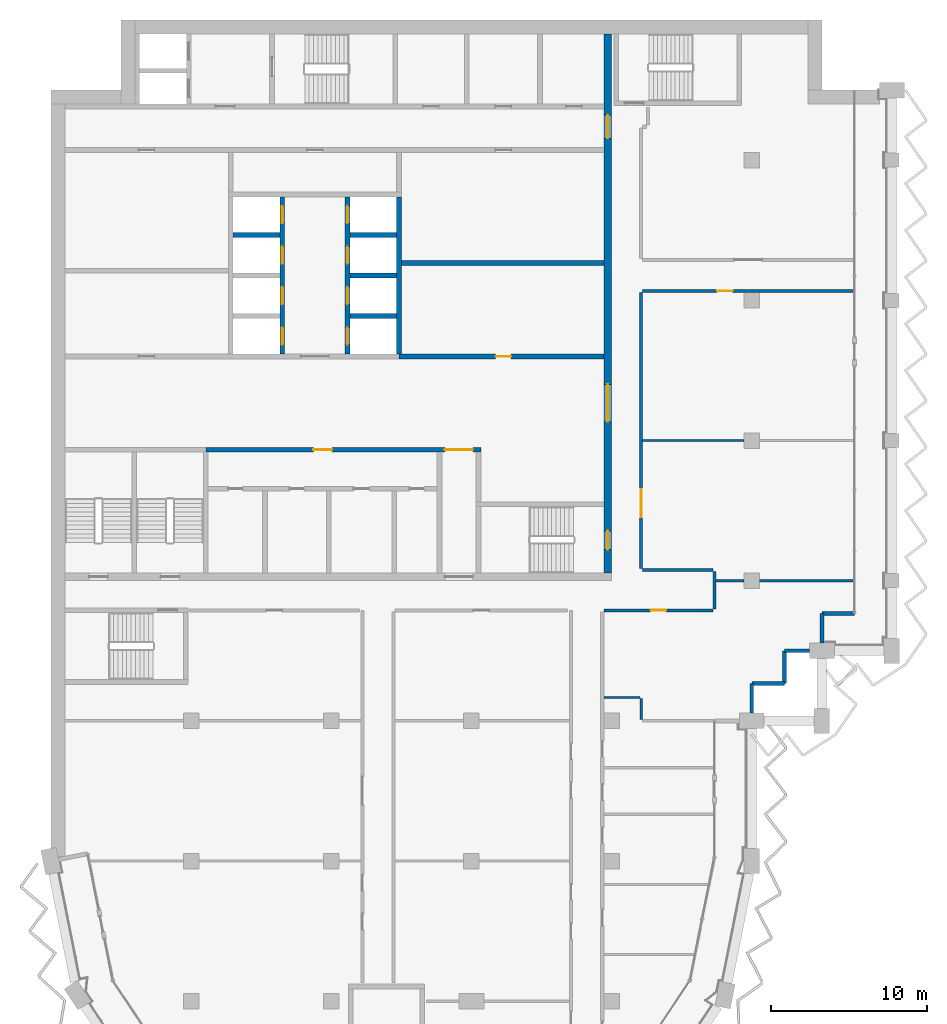
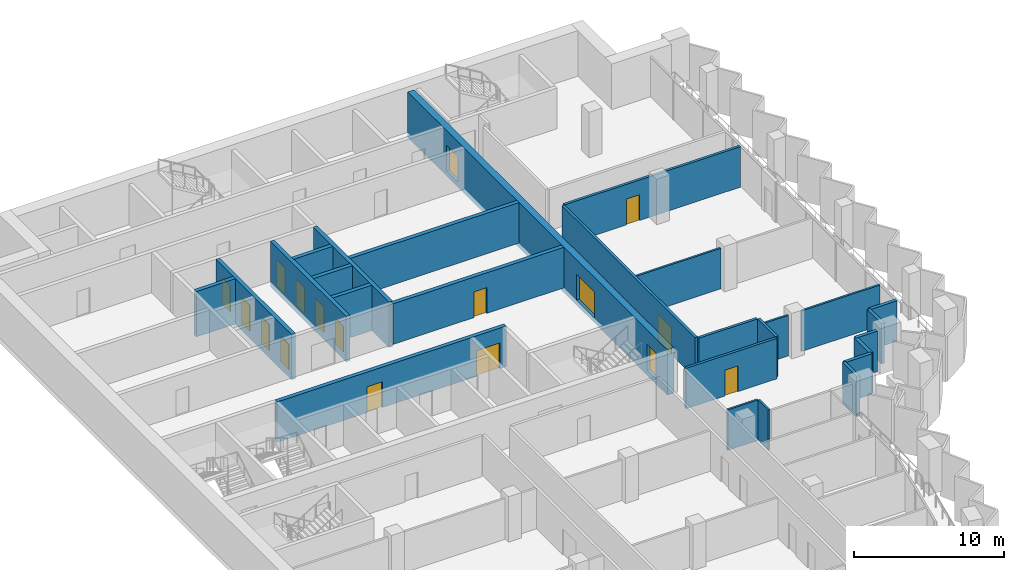
# One storey, part 9 of 16: 27 walls, 17 doors, 17 openings.
"""IFC4 building model written with IfcOpenShell, lengths in metres."""

from ifc_helpers import new_model, si_unit, direction, frame, frame_2d, origin, place, context, subcontext, project, spatial, rectangle, extrude, material, layer, layer_set, type_object, element, fill, save


model = new_model("IFC4")

# Units and contexts
model_context = context("Model", 3, precision=1e-05, world=origin(), true_north=direction((0.0, 1.0)))
body_context = subcontext(model_context, "Body", "Model", "MODEL_VIEW")
ifc_project = project(units=[si_unit("LENGTHUNIT", "METRE"), si_unit("AREAUNIT", "SQUARE_METRE"), si_unit("VOLUMEUNIT", "CUBIC_METRE"), si_unit("PLANEANGLEUNIT", "RADIAN"), si_unit("MASSUNIT", "GRAM", prefix="KILO")], contexts=[model_context])

# Site, building, storey
site_placement = place(None, origin())
site = spatial("IfcSite", under=ifc_project, at=site_placement, CompositionType="ELEMENT")
building_placement = place(site_placement, origin())
building = spatial("IfcBuilding", under=site, at=building_placement, Name="Hunhe Ridgeline Campus", CompositionType="ELEMENT")
storey_placement = place(building_placement, frame((0.0, 0.0, 261.39990234375)))
storey = spatial("IfcBuildingStorey", under=building, at=storey_placement, Name="L67", CompositionType="ELEMENT", Elevation=261.39990234375)

# Wall, openings, doors
ifc_material_1 = material(Name="Masonry concrete blockwork", Category="masonry")
ifc_layer_1 = layer(ifc_material_1, 0.300048828125)
ifc_layer_set_1 = layer_set([ifc_layer_1], Name="Core room partition 300 concrete block")
wall_type_1 = type_object("IfcWallType", Name="Core room partition 300 concrete block", PredefinedType="PARTITIONING", material=ifc_layer_set_1)
wall_1_placement = place(storey_placement, frame((9.949951171875, 71.39990234375, 0.0), z_axis=(0.0, 0.0, 1.0), x_axis=(1.0, 0.0, 0.0)))
wall_1 = element("IfcWall", 1, at=wall_1_placement, inside=storey, type_object=wall_type_1, Name="L67 core partition 9", PredefinedType="PARTITIONING", context=body_context, shape_type="SweptSolid", body=[
    extrude(rectangle(XDim=17.650146484375, YDim=0.300048828125, at=frame_2d((8.8251953125, 0.0))), origin(), (0.0, 0.0, 1.0), 3.300048828125),
])
opening_1_placement = place(wall_1_placement, frame((15.35009765625, 0.0, 0.0)))
opening_1 = element("IfcOpeningElement", 2, at=opening_1_placement, cuts=wall_1, Name="Opening CD7", PredefinedType="OPENING", context=body_context, shape_type="SweptSolid", body=[
    extrude(rectangle(XDim=1.800048828125, YDim=2.10009765625, at=frame_2d((0.89990234375, 1.050048828125))), frame((0.0, 0.14990234375, 0.0), z_axis=(0.0, -1.0, 0.0), x_axis=(1.0, 0.0, 0.0)), (0.0, 0.0, 1.0), 0.300048828125),
])
opening_2_placement = place(wall_1_placement, frame((6.89990234375, 0.0, 0.0)))
opening_2 = element("IfcOpeningElement", 3, at=opening_2_placement, cuts=wall_1, Name="Opening CD37", PredefinedType="OPENING", context=body_context, shape_type="SweptSolid", body=[
    extrude(rectangle(XDim=1.199951171875, YDim=2.10009765625, at=frame_2d((0.60009765625, 1.050048828125))), frame((0.0, 0.14990234375, 0.0), z_axis=(0.0, -1.0, 0.0), x_axis=(1.0, 0.0, 0.0)), (0.0, 0.0, 1.0), 0.300048828125),
])
ifc_material_2 = material(Name="Anodised aluminium and glass", Category="aluminium")
door_type_1 = type_object("IfcDoorType", Name="Glazed double door 1800x2100", OperationType="DOUBLE_DOOR_SINGLE_SWING", PredefinedType="DOOR", material=ifc_material_2)
door_1_placement = place(opening_1_placement, origin())
door_1 = element("IfcDoor", 4, at=door_1_placement, inside=storey, type_object=door_type_1, Name="L67 door VEST-HALL", OperationType="DOUBLE_DOOR_SINGLE_SWING", OverallHeight=2.10009765625, OverallWidth=1.800048828125, PredefinedType="DOOR", context=body_context, shape_type="SweptSolid", body=[
    extrude(rectangle(XDim=1.800048828125, YDim=2.10009765625, at=frame_2d((0.89990234375, 1.050048828125))), frame((0.0, 0.02490234375, 0.0), z_axis=(0.0, -1.0, 0.0), x_axis=(1.0, 0.0, 0.0)), (0.0, 0.0, 1.0), 0.050048828125),
])
fill(opening_1, door_1)
ifc_material_3 = material(Name="Solid core timber door leaf", Category="wood")
door_type_2 = type_object("IfcDoorType", Name="Timber door 1200x2100", OperationType="SINGLE_SWING_LEFT", PredefinedType="DOOR", material=ifc_material_3)
door_2_placement = place(opening_2_placement, origin())
door_2 = element("IfcDoor", 5, at=door_2_placement, inside=storey, type_object=door_type_2, Name="L67 door WCL1-HALL", OperationType="SINGLE_SWING_RIGHT", OverallHeight=2.10009765625, OverallWidth=1.199951171875, PredefinedType="DOOR", context=body_context, shape_type="SweptSolid", body=[
    extrude(rectangle(XDim=1.199951171875, YDim=2.10009765625, at=frame_2d((0.60009765625, 1.050048828125))), frame((0.0, 0.02490234375, 0.0), z_axis=(0.0, -1.0, 0.0), x_axis=(1.0, 0.0, 0.0)), (0.0, 0.0, 1.0), 0.050048828125),
])
fill(opening_2, door_2)

# Wall, opening, door
wall_2_placement = place(storey_placement, frame((22.35009765625, 77.39990234375, 0.0), z_axis=(0.0, 0.0, 1.0), x_axis=(1.0, 0.0, 0.0)))
wall_2 = element("IfcWall", 6, at=wall_2_placement, inside=storey, type_object=wall_type_1, Name="L67 core partition 11", PredefinedType="PARTITIONING", context=body_context, shape_type="SweptSolid", body=[
    extrude(rectangle(XDim=13.14990234375, YDim=0.300048828125, at=frame_2d((6.574951171875, 0.0))), origin(), (0.0, 0.0, 1.0), 3.300048828125),
])
opening_3_placement = place(wall_2_placement, frame((6.199951171875, 0.0, 0.0)))
opening_3 = element("IfcOpeningElement", 7, at=opening_3_placement, cuts=wall_2, Name="Opening CD32", PredefinedType="OPENING", context=body_context, shape_type="SweptSolid", body=[
    extrude(rectangle(XDim=1.0, YDim=2.10009765625, at=frame_2d((0.5, 1.050048828125))), frame((0.0, 0.14990234375, 0.0), z_axis=(0.0, -1.0, 0.0), x_axis=(1.0, 0.0, 0.0)), (0.0, 0.0, 1.0), 0.300048828125),
])
door_type_3 = type_object("IfcDoorType", Name="Timber door 1000x2100", OperationType="SINGLE_SWING_LEFT", PredefinedType="DOOR", material=ifc_material_3)
door_3_placement = place(opening_3_placement, origin())
door_3 = element("IfcDoor", 8, at=door_3_placement, inside=storey, type_object=door_type_3, Name="L67 door ES0", OperationType="SINGLE_SWING_LEFT", OverallHeight=2.10009765625, OverallWidth=1.0, PredefinedType="DOOR", context=body_context, shape_type="SweptSolid", body=[
    extrude(rectangle(XDim=1.0, YDim=2.10009765625, at=frame_2d((0.5, 1.050048828125))), frame((0.0, 0.02490234375, 0.0), z_axis=(0.0, -1.0, 0.0), x_axis=(1.0, 0.0, 0.0)), (0.0, 0.0, 1.0), 0.050048828125),
])
fill(opening_3, door_3)

# Wall
wall_3_placement = place(storey_placement, frame((22.5, 83.39990234375, 0.0), z_axis=(0.0, 0.0, 1.0), x_axis=(1.0, 0.0, 0.0)))
element("IfcWall", 9, at=wall_3_placement, inside=storey, type_object=wall_type_1, Name="L67 core partition 17", PredefinedType="PARTITIONING", context=body_context, shape_type="SweptSolid", body=[
    extrude(rectangle(XDim=13.0, YDim=0.300048828125, at=frame_2d((6.5, 0.0))), origin(), (0.0, 0.0, 1.0), 3.300048828125),
])

# Wall, openings, doors
ifc_material_4 = material(Name="Concrete C50", Category="concrete")
ifc_layer_2 = layer(ifc_material_4, 0.5)
ifc_layer_set_2 = layer_set([ifc_layer_2], Name="Core wall 500 reinforced concrete C50")
wall_type_2 = type_object("IfcWallType", Name="Core wall 500 reinforced concrete C50", PredefinedType="SOLIDWALL", material=ifc_layer_set_2)
wall_4_placement = place(storey_placement, frame((35.75, 63.5, -0.39990234375), z_axis=(0.0, 0.0, 1.0), x_axis=(0.0, 1.0, 0.0)))
wall_4 = element("IfcWall", 10, at=wall_4_placement, inside=storey, type_object=wall_type_2, Name="L67 core wall 48", PredefinedType="SOLIDWALL", context=body_context, shape_type="SweptSolid", body=[
    extrude(rectangle(XDim=34.60009765625, YDim=0.5, at=frame_2d((17.300048828125, 0.0))), origin(), (0.0, 0.0, 1.0), 3.699951171875),
])
opening_4_placement = place(wall_4_placement, frame((9.699951171875, 0.0, 0.39990234375)))
opening_4 = element("IfcOpeningElement", 11, at=opening_4_placement, cuts=wall_4, Name="Opening CD4", PredefinedType="OPENING", context=body_context, shape_type="SweptSolid", body=[
    extrude(rectangle(XDim=2.39990234375, YDim=2.10009765625, at=frame_2d((1.199951171875, 1.050048828125))), frame((0.0, 0.25, 0.0), z_axis=(0.0, -1.0, 0.0), x_axis=(1.0, 0.0, 0.0)), (0.0, 0.0, 1.0), 0.5),
])
opening_5_placement = place(wall_4_placement, frame((27.89990234375, 0.0, 0.39990234375)))
opening_5 = element("IfcOpeningElement", 12, at=opening_5_placement, cuts=wall_4, Name="Opening CD5", PredefinedType="OPENING", context=body_context, shape_type="SweptSolid", body=[
    extrude(rectangle(XDim=1.5, YDim=2.10009765625, at=frame_2d((0.75, 1.050048828125))), frame((0.0, 0.25, 0.0), z_axis=(0.0, -1.0, 0.0), x_axis=(1.0, 0.0, 0.0)), (0.0, 0.0, 1.0), 0.5),
])
opening_6_placement = place(wall_4_placement, frame((1.5, 0.0, 0.39990234375)))
opening_6 = element("IfcOpeningElement", 13, at=opening_6_placement, cuts=wall_4, Name="Opening CD15", PredefinedType="OPENING", context=body_context, shape_type="SweptSolid", body=[
    extrude(rectangle(XDim=1.199951171875, YDim=2.10009765625, at=frame_2d((0.60009765625, 1.050048828125))), frame((0.0, 0.25, 0.0), z_axis=(0.0, -1.0, 0.0), x_axis=(1.0, 0.0, 0.0)), (0.0, 0.0, 1.0), 0.5),
])
door_type_4 = type_object("IfcDoorType", Name="Glazed double door 2400x2100", OperationType="DOUBLE_DOOR_SINGLE_SWING", PredefinedType="DOOR", material=ifc_material_2)
door_4_placement = place(opening_4_placement, frame((2.39990234375, 0.0, 0.0), z_axis=(0.0, 0.0, 1.0), x_axis=(-1.0, 0.0, 0.0)))
door_4 = element("IfcDoor", 14, at=door_4_placement, inside=storey, type_object=door_type_4, Name="L67 door HALL-FLOOR", OperationType="DOUBLE_DOOR_SINGLE_SWING", OverallHeight=2.10009765625, OverallWidth=2.39990234375, PredefinedType="DOOR", context=body_context, shape_type="SweptSolid", body=[
    extrude(rectangle(XDim=2.39990234375, YDim=2.10009765625, at=frame_2d((1.199951171875, 1.050048828125))), frame((0.0, 0.02490234375, 0.0), z_axis=(0.0, -1.0, 0.0), x_axis=(1.0, 0.0, 0.0)), (0.0, 0.0, 1.0), 0.050048828125),
])
fill(opening_4, door_4)
ifc_material_5 = material(Name="Hollow metal fire door leaf")
door_type_5 = type_object("IfcDoorType", Name="Stair door 1200x2100 FD60", OperationType="SINGLE_SWING_LEFT", PredefinedType="DOOR", material=ifc_material_5)
door_5_placement = place(opening_6_placement, frame((1.199951171875, 0.0, 0.0), z_axis=(0.0, 0.0, 1.0), x_axis=(-1.0, 0.0, 0.0)))
door_5 = element("IfcDoor", 15, at=door_5_placement, inside=storey, type_object=door_type_5, Name="L67 door S2-FLOOR", OperationType="SINGLE_SWING_LEFT", OverallHeight=2.10009765625, OverallWidth=1.199951171875, PredefinedType="DOOR", context=body_context, shape_type="SweptSolid", body=[
    extrude(rectangle(XDim=1.199951171875, YDim=2.10009765625, at=frame_2d((0.60009765625, 1.050048828125))), frame((0.0, 0.02490234375, 0.0), z_axis=(0.0, -1.0, 0.0), x_axis=(1.0, 0.0, 0.0)), (0.0, 0.0, 1.0), 0.050048828125),
])
fill(opening_6, door_5)
door_type_6 = type_object("IfcDoorType", Name="Timber door 1500x2100", OperationType="SINGLE_SWING_LEFT", PredefinedType="DOOR", material=ifc_material_3)
door_6_placement = place(opening_5_placement, frame((1.5, 0.0, 0.0), z_axis=(0.0, 0.0, 1.0), x_axis=(-1.0, 0.0, 0.0)))
door_6 = element("IfcDoor", 16, at=door_6_placement, inside=storey, type_object=door_type_6, Name="L67 door C1-FLOOR", OperationType="SINGLE_SWING_LEFT", OverallHeight=2.10009765625, OverallWidth=1.5, PredefinedType="DOOR", context=body_context, shape_type="SweptSolid", body=[
    extrude(rectangle(XDim=1.5, YDim=2.10009765625, at=frame_2d((0.75, 1.050048828125))), frame((0.0, 0.02490234375, 0.0), z_axis=(0.0, -1.0, 0.0), x_axis=(1.0, 0.0, 0.0)), (0.0, 0.0, 1.0), 0.050048828125),
])
fill(opening_5, door_6)

# Walls
ifc_material_6 = material(Name="Concrete C30", Category="concrete")
ifc_layer_3 = layer(ifc_material_6, 0.25)
ifc_layer_set_3 = layer_set([ifc_layer_3], Name="Corner return wall 250 Concrete C30")
wall_type_3 = type_object("IfcWallType", Name="Corner return wall 250 Concrete C30", PredefinedType="SOLIDWALL", material=ifc_layer_set_3)
wall_5_placement = place(storey_placement, frame((44.9990234375, 54.5, 0.0), z_axis=(0.0, 0.0, 1.0), x_axis=(0.000128452151, 0.99999999175, 0.0)))
element("IfcWall", 17, at=wall_5_placement, inside=storey, type_object=wall_type_3, Name="Corner return wall 3", PredefinedType="SOLIDWALL", context=body_context, shape_type="SweptSolid", body=[
    extrude(rectangle(XDim=1.900634765625, YDim=0.25, at=frame_2d((0.9501953125, 0.0))), origin(), (0.0, 0.0, 1.0), 3.300048828125),
])
wall_6_placement = place(storey_placement, frame((44.999267578125, 56.400634765625, 0.0), z_axis=(0.0, 0.0, 1.0), x_axis=(0.999999993241, 0.00011626555, 0.0)))
element("IfcWall", 18, at=wall_6_placement, inside=storey, type_object=wall_type_3, Name="Corner return wall 4", PredefinedType="SOLIDWALL", context=body_context, shape_type="SweptSolid", body=[
    extrude(rectangle(XDim=2.099853515625, YDim=0.25, at=frame_2d((1.0498046875, 0.0))), origin(), (0.0, 0.0, 1.0), 3.300048828125),
])
wall_7_placement = place(storey_placement, frame((47.09912109375, 56.40087890625, 0.0), z_axis=(0.0, 0.0, 1.0), x_axis=(0.000232504063, 0.999999972971, 0.0)))
element("IfcWall", 19, at=wall_7_placement, inside=storey, type_object=wall_type_3, Name="Corner return wall 5", PredefinedType="SOLIDWALL", context=body_context, shape_type="SweptSolid", body=[
    extrude(rectangle(XDim=2.10009765625, YDim=0.25, at=frame_2d((1.050048828125, 0.0))), origin(), (0.0, 0.0, 1.0), 3.300048828125),
])
wall_8_placement = place(storey_placement, frame((47.099609375, 58.5009765625, 0.0), z_axis=(0.0, 0.0, 1.0), x_axis=(1.0, 0.0, 0.0)))
element("IfcWall", 20, at=wall_8_placement, inside=storey, type_object=wall_type_3, Name="Corner return wall 6", PredefinedType="SOLIDWALL", context=body_context, shape_type="SweptSolid", body=[
    extrude(rectangle(XDim=1.600341796875, YDim=0.25, at=frame_2d((0.80029296875, 0.0))), origin(), (0.0, 0.0, 1.0), 3.300048828125),
])
wall_9_placement = place(storey_placement, frame((49.4990234375, 59.0, 0.0), z_axis=(0.0, 0.0, 1.0), x_axis=(0.000256871299, 0.999999967009, 0.0)))
element("IfcWall", 21, at=wall_9_placement, inside=storey, type_object=wall_type_3, Name="Corner return wall 7", PredefinedType="SOLIDWALL", context=body_context, shape_type="SweptSolid", body=[
    extrude(rectangle(XDim=1.90087890625, YDim=0.25, at=frame_2d((0.950439453125, 0.0))), origin(), (0.0, 0.0, 1.0), 3.300048828125),
])
wall_10_placement = place(storey_placement, frame((49.49951171875, 60.90087890625, 0.0), z_axis=(0.0, 0.0, 1.0), x_axis=(1.0, 0.0, 0.0)))
element("IfcWall", 22, at=wall_10_placement, inside=storey, type_object=wall_type_3, Name="Corner return wall 8", PredefinedType="SOLIDWALL", context=body_context, shape_type="SweptSolid", body=[
    extrude(rectangle(XDim=2.099609375, YDim=0.25, at=frame_2d((1.0498046875, 0.0))), origin(), (0.0, 0.0, 1.0), 3.300048828125),
])

# Wall, opening, door
ifc_material_7 = material(Name="Gypsum board partition")
ifc_layer_4 = layer(ifc_material_7, 0.199951171875)
ifc_layer_set_4 = layer_set([ifc_layer_4], Name="Corridor partition 200 gypsum board on steel studs")
wall_type_4 = type_object("IfcWallType", Name="Corridor partition 200 gypsum board on steel studs", PredefinedType="PARTITIONING", material=ifc_layer_set_4)
wall_11_placement = place(storey_placement, frame((42.5, 61.10009765625, 0.0), z_axis=(0.0, 0.0, 1.0), x_axis=(-1.0, 0.0, 0.0)))
wall_11 = element("IfcWall", 23, at=wall_11_placement, inside=storey, type_object=wall_type_4, Name="F-L67-wall-023", PredefinedType="PARTITIONING", context=body_context, shape_type="SweptSolid", body=[
    extrude(rectangle(XDim=7.0, YDim=0.199951171875, at=frame_2d((3.5, 0.0))), origin(), (0.0, 0.0, 1.0), 3.300048828125),
])
opening_7_placement = place(wall_11_placement, frame((3.0, 0.0, 0.0)))
opening_7 = element("IfcOpeningElement", 24, at=opening_7_placement, cuts=wall_11, Name="Opening RD1-017", PredefinedType="OPENING", context=body_context, shape_type="SweptSolid", body=[
    extrude(rectangle(XDim=1.0, YDim=2.10009765625, at=frame_2d((0.5, 1.050048828125))), frame((0.0, 0.10009765625, 0.0), z_axis=(0.0, -1.0, 0.0), x_axis=(1.0, 0.0, 0.0)), (0.0, 0.0, 1.0), 0.199951171875),
])
ifc_material_8 = material(Name="Timber door leaf", Category="wood")
door_type_7 = type_object("IfcDoorType", Name="Single fire door 1000x2100 timber FD60", OperationType="NOTDEFINED", PredefinedType="DOOR", material=ifc_material_8)
door_7_placement = place(opening_7_placement, origin())
door_7 = element("IfcDoor", 25, at=door_7_placement, inside=storey, type_object=door_type_7, Name="F-L67-door-017", OperationType="SINGLE_SWING_LEFT", OverallHeight=2.10009765625, OverallWidth=1.0, PredefinedType="DOOR", context=body_context, shape_type="SweptSolid", body=[
    extrude(rectangle(XDim=1.0, YDim=2.10009765625, at=frame_2d((0.5, 1.050048828125))), frame((0.0, 0.02490234375, 0.0), z_axis=(0.0, -1.0, 0.0), x_axis=(1.0, 0.0, 0.0)), (0.0, 0.0, 1.0), 0.050048828125),
])
fill(opening_7, door_7)

# Wall
wall_12_placement = place(storey_placement, frame((38.0, 63.699951171875, 0.0), z_axis=(0.0, 0.0, 1.0), x_axis=(1.0, 0.0, 0.0)))
element("IfcWall", 26, at=wall_12_placement, inside=storey, type_object=wall_type_4, Name="F-L67-wall-026", PredefinedType="PARTITIONING", context=body_context, shape_type="SweptSolid", body=[
    extrude(rectangle(XDim=4.5, YDim=0.199951171875, at=frame_2d((2.25, 0.0))), origin(), (0.0, 0.0, 1.0), 3.300048828125),
])

# Wall, opening, door
wall_13_placement = place(storey_placement, frame((51.544921875, 81.60009765625, 0.0), z_axis=(0.0, 0.0, 1.0), x_axis=(-1.0, 0.0, 0.0)))
wall_13 = element("IfcWall", 27, at=wall_13_placement, inside=storey, type_object=wall_type_4, Name="F-L67-wall-029", PredefinedType="PARTITIONING", context=body_context, shape_type="SweptSolid", body=[
    extrude(rectangle(XDim=13.544921875, YDim=0.199951171875, at=frame_2d((6.7724609375, 0.0))), origin(), (0.0, 0.0, 1.0), 3.300048828125),
])
opening_8_placement = place(wall_13_placement, frame((7.7724609375, 0.0, 0.0)))
opening_8 = element("IfcOpeningElement", 28, at=opening_8_placement, cuts=wall_13, Name="Opening RD1-019", PredefinedType="OPENING", context=body_context, shape_type="SweptSolid", body=[
    extrude(rectangle(XDim=1.0, YDim=2.10009765625, at=frame_2d((0.5, 1.050048828125))), frame((0.0, 0.10009765625, 0.0), z_axis=(0.0, -1.0, 0.0), x_axis=(1.0, 0.0, 0.0)), (0.0, 0.0, 1.0), 0.199951171875),
])
door_8_placement = place(opening_8_placement, origin())
door_8 = element("IfcDoor", 29, at=door_8_placement, inside=storey, type_object=door_type_7, Name="F-L67-door-019", OperationType="SINGLE_SWING_RIGHT", OverallHeight=2.10009765625, OverallWidth=1.0, PredefinedType="DOOR", context=body_context, shape_type="SweptSolid", body=[
    extrude(rectangle(XDim=1.0, YDim=2.10009765625, at=frame_2d((0.5, 1.050048828125))), frame((0.0, 0.02490234375, 0.0), z_axis=(0.0, -1.0, 0.0), x_axis=(1.0, 0.0, 0.0)), (0.0, 0.0, 1.0), 0.050048828125),
])
fill(opening_8, door_8)

wall_14_placement = place(storey_placement, frame((37.89990234375, 81.5, 0.0), z_axis=(0.0, 0.0, 1.0), x_axis=(0.0, -1.0, 0.0)))
wall_14 = element("IfcWall", 30, at=wall_14_placement, inside=storey, type_object=wall_type_4, Name="F-L67-wall-039", PredefinedType="PARTITIONING", context=body_context, shape_type="SweptSolid", body=[
    extrude(rectangle(XDim=17.699951171875, YDim=0.199951171875, at=frame_2d((8.85009765625, 0.0))), origin(), (0.0, 0.0, 1.0), 3.300048828125),
])
opening_9_placement = place(wall_14_placement, frame((12.6279296875, 0.0, 0.0)))
opening_9 = element("IfcOpeningElement", 31, at=opening_9_placement, cuts=wall_14, Name="Opening RD2-018", PredefinedType="OPENING", context=body_context, shape_type="SweptSolid", body=[
    extrude(rectangle(XDim=1.800048828125, YDim=2.10009765625, at=frame_2d((0.89990234375, 1.050048828125))), frame((0.0, 0.10009765625, 0.0), z_axis=(0.0, -1.0, 0.0), x_axis=(1.0, 0.0, 0.0)), (0.0, 0.0, 1.0), 0.199951171875),
])
door_type_8 = type_object("IfcDoorType", Name="Double fire door 1800x2100 timber FD60", OperationType="DOUBLE_DOOR_SINGLE_SWING", PredefinedType="DOOR", material=ifc_material_8)
door_9_placement = place(opening_9_placement, origin())
door_9 = element("IfcDoor", 32, at=door_9_placement, inside=storey, type_object=door_type_8, Name="F-L67-door-018", OperationType="DOUBLE_DOOR_SINGLE_SWING", OverallHeight=2.10009765625, OverallWidth=1.800048828125, PredefinedType="DOOR", context=body_context, shape_type="SweptSolid", body=[
    extrude(rectangle(XDim=1.800048828125, YDim=2.10009765625, at=frame_2d((0.89990234375, 1.050048828125))), frame((0.0, 0.02490234375, 0.0), z_axis=(0.0, -1.0, 0.0), x_axis=(1.0, 0.0, 0.0)), (0.0, 0.0, 1.0), 0.050048828125),
])
fill(opening_9, door_9)

# Walls
wall_15_placement = place(storey_placement, frame((42.60009765625, 63.60009765625, 0.0), z_axis=(0.0, 0.0, 1.0), x_axis=(0.0, -1.0, 0.0)))
element("IfcWall", 33, at=wall_15_placement, inside=storey, type_object=wall_type_4, Name="F-L67-wall-042", PredefinedType="PARTITIONING", context=body_context, shape_type="SweptSolid", body=[
    extrude(rectangle(XDim=2.400146484375, YDim=0.199951171875, at=frame_2d((1.2001953125, 0.0))), origin(), (0.0, 0.0, 1.0), 3.300048828125),
])
ifc_layer_5 = layer(ifc_material_7, 0.14990234375)
ifc_layer_set_5 = layer_set([ifc_layer_5], Name="Room partition 150 gypsum board on steel studs")
wall_type_5 = type_object("IfcWallType", Name="Room partition 150 gypsum board on steel studs", PredefinedType="PARTITIONING", material=ifc_layer_set_5)
wall_16_placement = place(storey_placement, frame((35.5, 55.5, 0.0), z_axis=(0.0, 0.0, 1.0), x_axis=(1.0, 0.0, 0.0)))
element("IfcWall", 34, at=wall_16_placement, inside=storey, type_object=wall_type_5, Name="F-L67-wall-020", PredefinedType="PARTITIONING", context=body_context, shape_type="SweptSolid", body=[
    extrude(rectangle(XDim=2.324951171875, YDim=0.14990234375, at=frame_2d((1.16259765625, 0.0))), origin(), (0.0, 0.0, 1.0), 3.300048828125),
])
wall_17_placement = place(storey_placement, frame((42.699951171875, 63.0, 0.0), z_axis=(0.0, 0.0, 1.0), x_axis=(1.0, 0.0, 0.0)))
element("IfcWall", 35, at=wall_17_placement, inside=storey, type_object=wall_type_5, Name="F-L67-wall-024", PredefinedType="PARTITIONING", context=body_context, shape_type="SweptSolid", body=[
    extrude(rectangle(XDim=1.800048828125, YDim=0.14990234375, at=frame_2d((0.89990234375, 0.0))), origin(), (0.0, 0.0, 1.0), 3.300048828125),
])
wall_18_placement = place(storey_placement, frame((45.5, 63.0, 0.0), z_axis=(0.0, 0.0, 1.0), x_axis=(1.0, 0.0, 0.0)))
element("IfcWall", 36, at=wall_18_placement, inside=storey, type_object=wall_type_5, Name="F-L67-wall-025", PredefinedType="PARTITIONING", context=body_context, shape_type="SweptSolid", body=[
    extrude(rectangle(XDim=6.044921875, YDim=0.14990234375, at=frame_2d((3.0224609375, 0.0))), origin(), (0.0, 0.0, 1.0), 3.300048828125),
])
wall_19_placement = place(storey_placement, frame((38.0, 72.0, 0.0), z_axis=(0.0, 0.0, 1.0), x_axis=(1.0, 0.0, 0.0)))
element("IfcWall", 37, at=wall_19_placement, inside=storey, type_object=wall_type_5, Name="F-L67-wall-027", PredefinedType="PARTITIONING", context=body_context, shape_type="SweptSolid", body=[
    extrude(rectangle(XDim=6.5, YDim=0.14990234375, at=frame_2d((3.25, 0.0))), origin(), (0.0, 0.0, 1.0), 3.300048828125),
])
wall_20_placement = place(storey_placement, frame((37.89990234375, 55.425048828125, 0.0), z_axis=(0.0, 0.0, 1.0), x_axis=(0.0, -1.0, 0.0)))
element("IfcWall", 38, at=wall_20_placement, inside=storey, type_object=wall_type_5, Name="F-L67-wall-038", PredefinedType="PARTITIONING", context=body_context, shape_type="SweptSolid", body=[
    extrude(rectangle(XDim=1.35009765625, YDim=0.14990234375, at=frame_2d((0.675048828125, 0.0))), origin(), (0.0, 0.0, 1.0), 3.300048828125),
])
ifc_layer_6 = layer(ifc_material_4, 0.300048828125)
ifc_layer_set_6 = layer_set([ifc_layer_6], Name="Shaft wall 300 reinforced concrete C50")
wall_type_6 = type_object("IfcWallType", Name="Shaft wall 300 reinforced concrete C50", PredefinedType="SOLIDWALL", material=ifc_layer_set_6)
for number, where, z_axis, x_axis, name in (
    (39, (19.199951171875, 80.0, -0.39990234375), (0.0, 0.0, 1.0), (1.0, 0.0, 0.0), "L67 core wall 13"),
    (40, (19.199951171875, 82.60009765625, -0.39990234375), (0.0, 0.0, 1.0), (1.0, 0.0, 0.0), "L67 core wall 15"),
    (41, (11.699951171875, 85.199951171875, -0.39990234375), (0.0, 0.0, 1.0), (1.0, 0.0, 0.0), "L67 core wall 18"),
    (42, (19.199951171875, 85.199951171875, -0.39990234375), (0.0, 0.0, 1.0), (1.0, 0.0, 0.0), "L67 core wall 19"),
):
    element("IfcWall", number, at=place(storey_placement, frame(where, z_axis=z_axis, x_axis=x_axis)), inside=storey, type_object=wall_type_6, Name=name, PredefinedType="SOLIDWALL", context=body_context, shape_type="SweptSolid", body=[
        extrude(rectangle(XDim=3.0, YDim=0.300048828125, at=frame_2d((1.5, 0.0))), origin(), (0.0, 0.0, 1.0), 3.699951171875),
    ])

# Wall, openings, doors
wall_21_placement = place(storey_placement, frame((14.85009765625, 77.550048828125, -0.39990234375), z_axis=(0.0, 0.0, 1.0), x_axis=(0.0, 1.0, 0.0)))
wall_21 = element("IfcWall", 43, at=wall_21_placement, inside=storey, type_object=wall_type_6, Name="L67 core wall 34", PredefinedType="SOLIDWALL", context=body_context, shape_type="SweptSolid", body=[
    extrude(rectangle(XDim=10.099853515625, YDim=0.300048828125, at=frame_2d((5.0498046875, 0.0))), origin(), (0.0, 0.0, 1.0), 3.699951171875),
])
opening_10_placement = place(wall_21_placement, frame((0.60009765625, 0.0, 0.39990234375)))
opening_10 = element("IfcOpeningElement", 44, at=opening_10_placement, cuts=wall_21, Name="Opening LD-HR1", PredefinedType="OPENING", context=body_context, shape_type="SweptSolid", body=[
    extrude(rectangle(XDim=1.10009765625, YDim=2.10009765625, at=frame_2d((0.550048828125, 1.050048828125))), frame((0.0, 0.14990234375, 0.0), z_axis=(0.0, -1.0, 0.0), x_axis=(1.0, 0.0, 0.0)), (0.0, 0.0, 1.0), 0.300048828125),
])
opening_11_placement = place(wall_21_placement, frame((3.199951171875, 0.0, 0.39990234375)))
opening_11 = element("IfcOpeningElement", 45, at=opening_11_placement, cuts=wall_21, Name="Opening LD-HR2", PredefinedType="OPENING", context=body_context, shape_type="SweptSolid", body=[
    extrude(rectangle(XDim=1.10009765625, YDim=2.10009765625, at=frame_2d((0.550048828125, 1.050048828125))), frame((0.0, 0.14990234375, 0.0), z_axis=(0.0, -1.0, 0.0), x_axis=(1.0, 0.0, 0.0)), (0.0, 0.0, 1.0), 0.300048828125),
])
opening_12_placement = place(wall_21_placement, frame((5.800048828125, 0.0, 0.39990234375)))
opening_12 = element("IfcOpeningElement", 46, at=opening_12_placement, cuts=wall_21, Name="Opening LD-HR3", PredefinedType="OPENING", context=body_context, shape_type="SweptSolid", body=[
    extrude(rectangle(XDim=1.10009765625, YDim=2.10009765625, at=frame_2d((0.550048828125, 1.050048828125))), frame((0.0, 0.14990234375, 0.0), z_axis=(0.0, -1.0, 0.0), x_axis=(1.0, 0.0, 0.0)), (0.0, 0.0, 1.0), 0.300048828125),
])
opening_13_placement = place(wall_21_placement, frame((8.39990234375, 0.0, 0.39990234375)))
opening_13 = element("IfcOpeningElement", 47, at=opening_13_placement, cuts=wall_21, Name="Opening LD-HR4", PredefinedType="OPENING", context=body_context, shape_type="SweptSolid", body=[
    extrude(rectangle(XDim=1.10009765625, YDim=2.10009765625, at=frame_2d((0.550048828125, 1.050048828125))), frame((0.0, 0.14990234375, 0.0), z_axis=(0.0, -1.0, 0.0), x_axis=(1.0, 0.0, 0.0)), (0.0, 0.0, 1.0), 0.300048828125),
])
ifc_material_9 = material(Name="Stainless steel sliding leaves", Category="steel")
door_type_9 = type_object("IfcDoorType", Name="Landing door 1100x2100 FD120", OperationType="SLIDING_TO_LEFT", PredefinedType="DOOR", material=ifc_material_9)
door_10_placement = place(opening_10_placement, origin())
door_10 = element("IfcDoor", 48, at=door_10_placement, inside=storey, type_object=door_type_9, Name="L67 landing door HR1", OperationType="SLIDING_TO_RIGHT", OverallHeight=2.10009765625, OverallWidth=1.10009765625, PredefinedType="DOOR", context=body_context, shape_type="SweptSolid", body=[
    extrude(rectangle(XDim=1.10009765625, YDim=2.10009765625, at=frame_2d((0.550048828125, 1.050048828125))), frame((0.0, 0.02490234375, 0.0), z_axis=(0.0, -1.0, 0.0), x_axis=(1.0, 0.0, 0.0)), (0.0, 0.0, 1.0), 0.050048828125),
])
fill(opening_10, door_10)
door_11_placement = place(opening_11_placement, origin())
door_11 = element("IfcDoor", 49, at=door_11_placement, inside=storey, type_object=door_type_9, Name="L67 landing door HR2", OperationType="SLIDING_TO_LEFT", OverallHeight=2.10009765625, OverallWidth=1.10009765625, PredefinedType="DOOR", context=body_context, shape_type="SweptSolid", body=[
    extrude(rectangle(XDim=1.10009765625, YDim=2.10009765625, at=frame_2d((0.550048828125, 1.050048828125))), frame((0.0, 0.02490234375, 0.0), z_axis=(0.0, -1.0, 0.0), x_axis=(1.0, 0.0, 0.0)), (0.0, 0.0, 1.0), 0.050048828125),
])
fill(opening_11, door_11)
door_12_placement = place(opening_12_placement, origin())
door_12 = element("IfcDoor", 50, at=door_12_placement, inside=storey, type_object=door_type_9, Name="L67 landing door HR3", OperationType="SLIDING_TO_RIGHT", OverallHeight=2.10009765625, OverallWidth=1.10009765625, PredefinedType="DOOR", context=body_context, shape_type="SweptSolid", body=[
    extrude(rectangle(XDim=1.10009765625, YDim=2.10009765625, at=frame_2d((0.550048828125, 1.050048828125))), frame((0.0, 0.02490234375, 0.0), z_axis=(0.0, -1.0, 0.0), x_axis=(1.0, 0.0, 0.0)), (0.0, 0.0, 1.0), 0.050048828125),
])
fill(opening_12, door_12)
door_13_placement = place(opening_13_placement, origin())
door_13 = element("IfcDoor", 51, at=door_13_placement, inside=storey, type_object=door_type_9, Name="L67 landing door HR4", OperationType="SLIDING_TO_LEFT", OverallHeight=2.10009765625, OverallWidth=1.10009765625, PredefinedType="DOOR", context=body_context, shape_type="SweptSolid", body=[
    extrude(rectangle(XDim=1.10009765625, YDim=2.10009765625, at=frame_2d((0.550048828125, 1.050048828125))), frame((0.0, 0.02490234375, 0.0), z_axis=(0.0, -1.0, 0.0), x_axis=(1.0, 0.0, 0.0)), (0.0, 0.0, 1.0), 0.050048828125),
])
fill(opening_13, door_13)

wall_22_placement = place(storey_placement, frame((19.050048828125, 77.550048828125, -0.39990234375), z_axis=(0.0, 0.0, 1.0), x_axis=(0.0, 1.0, 0.0)))
wall_22 = element("IfcWall", 52, at=wall_22_placement, inside=storey, type_object=wall_type_6, Name="L67 core wall 36", PredefinedType="SOLIDWALL", context=body_context, shape_type="SweptSolid", body=[
    extrude(rectangle(XDim=10.099853515625, YDim=0.300048828125, at=frame_2d((5.0498046875, 0.0))), origin(), (0.0, 0.0, 1.0), 3.699951171875),
])
opening_14_placement = place(wall_22_placement, frame((0.60009765625, 0.0, 0.39990234375)))
opening_14 = element("IfcOpeningElement", 53, at=opening_14_placement, cuts=wall_22, Name="Opening LD-HR5", PredefinedType="OPENING", context=body_context, shape_type="SweptSolid", body=[
    extrude(rectangle(XDim=1.10009765625, YDim=2.10009765625, at=frame_2d((0.550048828125, 1.050048828125))), frame((0.0, 0.14990234375, 0.0), z_axis=(0.0, -1.0, 0.0), x_axis=(1.0, 0.0, 0.0)), (0.0, 0.0, 1.0), 0.300048828125),
])
opening_15_placement = place(wall_22_placement, frame((3.199951171875, 0.0, 0.39990234375)))
opening_15 = element("IfcOpeningElement", 54, at=opening_15_placement, cuts=wall_22, Name="Opening LD-HR6", PredefinedType="OPENING", context=body_context, shape_type="SweptSolid", body=[
    extrude(rectangle(XDim=1.10009765625, YDim=2.10009765625, at=frame_2d((0.550048828125, 1.050048828125))), frame((0.0, 0.14990234375, 0.0), z_axis=(0.0, -1.0, 0.0), x_axis=(1.0, 0.0, 0.0)), (0.0, 0.0, 1.0), 0.300048828125),
])
opening_16_placement = place(wall_22_placement, frame((5.800048828125, 0.0, 0.39990234375)))
opening_16 = element("IfcOpeningElement", 55, at=opening_16_placement, cuts=wall_22, Name="Opening LD-HR7", PredefinedType="OPENING", context=body_context, shape_type="SweptSolid", body=[
    extrude(rectangle(XDim=1.10009765625, YDim=2.10009765625, at=frame_2d((0.550048828125, 1.050048828125))), frame((0.0, 0.14990234375, 0.0), z_axis=(0.0, -1.0, 0.0), x_axis=(1.0, 0.0, 0.0)), (0.0, 0.0, 1.0), 0.300048828125),
])
opening_17_placement = place(wall_22_placement, frame((8.39990234375, 0.0, 0.39990234375)))
opening_17 = element("IfcOpeningElement", 56, at=opening_17_placement, cuts=wall_22, Name="Opening LD-HR8", PredefinedType="OPENING", context=body_context, shape_type="SweptSolid", body=[
    extrude(rectangle(XDim=1.10009765625, YDim=2.10009765625, at=frame_2d((0.550048828125, 1.050048828125))), frame((0.0, 0.14990234375, 0.0), z_axis=(0.0, -1.0, 0.0), x_axis=(1.0, 0.0, 0.0)), (0.0, 0.0, 1.0), 0.300048828125),
])
door_14_placement = place(opening_14_placement, origin())
door_14 = element("IfcDoor", 57, at=door_14_placement, inside=storey, type_object=door_type_9, Name="L67 landing door HR5", OperationType="SLIDING_TO_RIGHT", OverallHeight=2.10009765625, OverallWidth=1.10009765625, PredefinedType="DOOR", context=body_context, shape_type="SweptSolid", body=[
    extrude(rectangle(XDim=1.10009765625, YDim=2.10009765625, at=frame_2d((0.550048828125, 1.050048828125))), frame((0.0, 0.02490234375, 0.0), z_axis=(0.0, -1.0, 0.0), x_axis=(1.0, 0.0, 0.0)), (0.0, 0.0, 1.0), 0.050048828125),
])
fill(opening_14, door_14)
door_15_placement = place(opening_15_placement, origin())
door_15 = element("IfcDoor", 58, at=door_15_placement, inside=storey, type_object=door_type_9, Name="L67 landing door HR6", OperationType="SLIDING_TO_LEFT", OverallHeight=2.10009765625, OverallWidth=1.10009765625, PredefinedType="DOOR", context=body_context, shape_type="SweptSolid", body=[
    extrude(rectangle(XDim=1.10009765625, YDim=2.10009765625, at=frame_2d((0.550048828125, 1.050048828125))), frame((0.0, 0.02490234375, 0.0), z_axis=(0.0, -1.0, 0.0), x_axis=(1.0, 0.0, 0.0)), (0.0, 0.0, 1.0), 0.050048828125),
])
fill(opening_15, door_15)
door_16_placement = place(opening_16_placement, origin())
door_16 = element("IfcDoor", 59, at=door_16_placement, inside=storey, type_object=door_type_9, Name="L67 landing door HR7", OperationType="SLIDING_TO_RIGHT", OverallHeight=2.10009765625, OverallWidth=1.10009765625, PredefinedType="DOOR", context=body_context, shape_type="SweptSolid", body=[
    extrude(rectangle(XDim=1.10009765625, YDim=2.10009765625, at=frame_2d((0.550048828125, 1.050048828125))), frame((0.0, 0.02490234375, 0.0), z_axis=(0.0, -1.0, 0.0), x_axis=(1.0, 0.0, 0.0)), (0.0, 0.0, 1.0), 0.050048828125),
])
fill(opening_16, door_16)
door_17_placement = place(opening_17_placement, origin())
door_17 = element("IfcDoor", 60, at=door_17_placement, inside=storey, type_object=door_type_9, Name="L67 landing door HR8", OperationType="SLIDING_TO_LEFT", OverallHeight=2.10009765625, OverallWidth=1.10009765625, PredefinedType="DOOR", context=body_context, shape_type="SweptSolid", body=[
    extrude(rectangle(XDim=1.10009765625, YDim=2.10009765625, at=frame_2d((0.550048828125, 1.050048828125))), frame((0.0, 0.02490234375, 0.0), z_axis=(0.0, -1.0, 0.0), x_axis=(1.0, 0.0, 0.0)), (0.0, 0.0, 1.0), 0.050048828125),
])
fill(opening_17, door_17)

# Wall
wall_23_placement = place(storey_placement, frame((22.35009765625, 77.550048828125, -0.39990234375), z_axis=(0.0, 0.0, 1.0), x_axis=(0.0, 1.0, 0.0)))
element("IfcWall", 61, at=wall_23_placement, inside=storey, type_object=wall_type_6, Name="L67 core wall 40", PredefinedType="SOLIDWALL", context=body_context, shape_type="SweptSolid", body=[
    extrude(rectangle(XDim=10.099853515625, YDim=0.300048828125, at=frame_2d((5.0498046875, 0.0))), origin(), (0.0, 0.0, 1.0), 3.699951171875),
])

save(model, "model.ifc")
